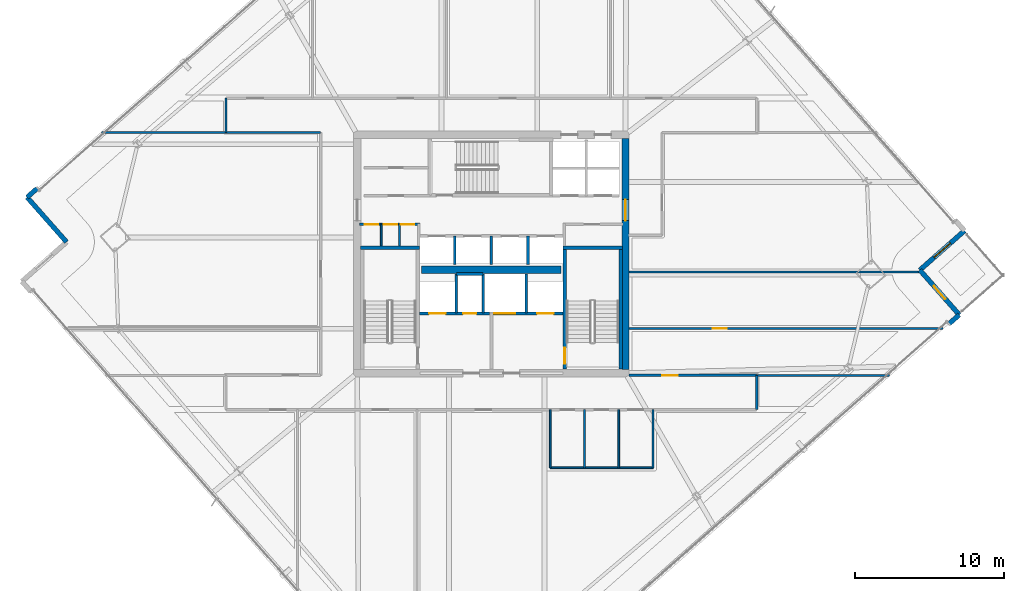
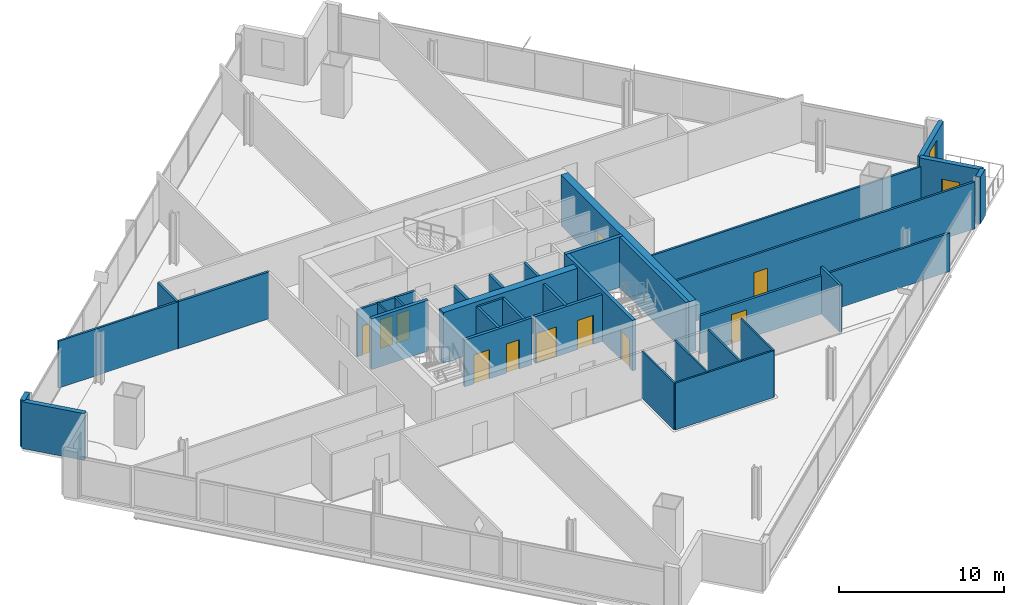
# One storey, part 27 of 34: 36 walls, 12 doors, 1 window, 13 openings.
"""IFC4 building model written with IfcOpenShell, lengths in metres."""

from ifc_helpers import new_model, si_unit, direction, frame, frame_2d, origin, place, context, subcontext, project, spatial, rectangle, extrude, material, layer, layer_set, type_object, element, fill, save


model = new_model("IFC4")

# Units and contexts
model_context = context("Model", 3, precision=1e-05, world=origin(), true_north=direction((0.0, 1.0)))
body_context = subcontext(model_context, "Body", "Model", "MODEL_VIEW")
ifc_project = project(units=[si_unit("LENGTHUNIT", "METRE"), si_unit("AREAUNIT", "SQUARE_METRE"), si_unit("VOLUMEUNIT", "CUBIC_METRE"), si_unit("PLANEANGLEUNIT", "RADIAN"), si_unit("MASSUNIT", "GRAM", prefix="KILO")], contexts=[model_context])

# Site, building, storey
site_placement = place(None, origin())
site = spatial("IfcSite", under=ifc_project, at=site_placement, CompositionType="ELEMENT")
building_placement = place(site_placement, origin())
building = spatial("IfcBuilding", under=site, at=building_placement, Name="Haldenkirk Collegiate Tower", CompositionType="ELEMENT")
storey_placement = place(building_placement, frame((0.0, 0.0, 166.949951171875)))
storey = spatial("IfcBuildingStorey", under=building, at=storey_placement, Name="L41", CompositionType="ELEMENT", Elevation=166.949951171875)

# Wall, opening, door
ifc_material_1 = material(Name="Concrete f'c 55 MPa", Category="concrete")
ifc_layer_1 = layer(ifc_material_1, 0.5)
ifc_layer_set_1 = layer_set([ifc_layer_1], Name="Concrete f'c 55 MPa")
wall_type_1 = type_object("IfcWallType", Name="WL-CORE-500", PredefinedType="SHEAR", material=ifc_layer_set_1)
wall_1_placement = place(storey_placement, frame((45.0, 18.25, 0.0), z_axis=(0.0, 0.0, 1.0), x_axis=(0.0, 1.0, 0.0)))
wall_1 = element("IfcWall", 1, at=wall_1_placement, inside=storey, type_object=wall_type_1, Name="L41 central core shear wall E", PredefinedType="SHEAR", context=body_context, shape_type="SweptSolid", body=[
    extrude(rectangle(XDim=15.5, YDim=0.5, at=frame_2d((7.75, 0.0))), origin(), (0.0, 0.0, 1.0), 3.75),
])
opening_1_placement = place(wall_1_placement, frame((9.989990234375, 0.0, 0.0)))
opening_1 = element("IfcOpeningElement", 2, at=opening_1_placement, cuts=wall_1, Name="Opening D-03", PredefinedType="OPENING", context=body_context, shape_type="SweptSolid", body=[
    extrude(rectangle(XDim=1.39990234375, YDim=2.199951171875, at=frame_2d((0.699951171875, 1.10009765625))), frame((0.0, 0.260009765625, 0.0), z_axis=(0.0, -1.0, 0.0), x_axis=(1.0, 0.0, 0.0)), (0.0, 0.0, 1.0), 0.52001953125),
])
ifc_material_2 = material(Name="Galvanized fire-rated hollow steel door", Category="steel")
ifc_layer_2 = layer(ifc_material_2, 0.06005859375)
ifc_layer_set_2 = layer_set([ifc_layer_2], Name="Galvanized fire-rated hollow steel door")
door_type_1 = type_object("IfcDoorType", Name="DR-LOBBY-FD90-1400", OperationType="NOTDEFINED", PredefinedType="DOOR", material=ifc_layer_set_2)
door_1_placement = place(opening_1_placement, origin())
door_1 = element("IfcDoor", 3, at=door_1_placement, inside=storey, type_object=door_type_1, Name="L41 east lift lobby portal", OperationType="DOUBLE_DOOR_SINGLE_SWING", OverallHeight=2.199951171875, OverallWidth=1.39990234375, PredefinedType="DOOR", context=body_context, shape_type="SweptSolid", body=[
    extrude(rectangle(XDim=1.39990234375, YDim=2.199951171875, at=frame_2d((0.699951171875, 1.10009765625))), frame((0.0, 0.02490234375, 0.0), z_axis=(0.0, -1.0, 0.0), x_axis=(1.0, 0.0, 0.0)), (0.0, 0.0, 1.0), 0.050048828125),
])
fill(opening_1, door_1)

# Walls
wall_2_placement = place(storey_placement, frame((31.31005859375, 24.949951171875, 0.0), z_axis=(0.0, 0.0, 1.0), x_axis=(1.0, 0.0, 0.0)))
element("IfcWall", 4, at=wall_2_placement, inside=storey, type_object=wall_type_1, Name="L41 central core spine shear wall", PredefinedType="SHEAR", context=body_context, shape_type="SweptSolid", body=[
    extrude(rectangle(XDim=9.3798828125, YDim=0.5, at=frame_2d((4.68994140625, 0.0))), origin(), (0.0, 0.0, 1.0), 3.75),
])
ifc_material_3 = material(Name="Precast concrete f'c 40 MPa", Category="concrete")
ifc_layer_3 = layer(ifc_material_3, 0.320068359375)
ifc_layer_set_3 = layer_set([ifc_layer_3], Name="Precast concrete f'c 40 MPa")
wall_type_2 = type_object("IfcWallType", Name="WL-EXT-TWR-320", PredefinedType="STANDARD", material=ifc_layer_set_3)
wall_3_placement = place(storey_placement, frame((67.3955078125, 21.9169921875, 0.0), z_axis=(0.0, 0.0, 1.0), x_axis=(-0.750067388761, -0.661361408246, 0.0)))
element("IfcWall", 5, at=wall_3_placement, inside=storey, type_object=wall_type_2, Name="L41 precast corner pier SL", PredefinedType="STANDARD", context=body_context, shape_type="SweptSolid", body=[
    extrude(rectangle(XDim=0.89990234375, YDim=0.320068359375, at=frame_2d((0.449951171875, 0.0))), origin(), (0.0, 0.0, 1.0), 3.4599609375),
])

# Wall, opening, door
wall_4_placement = place(storey_placement, frame((64.750244140625, 24.91748046875, 0.0), z_axis=(0.0, 0.0, 1.0), x_axis=(0.661308688671, -0.750113870214, 0.0)))
wall_4 = element("IfcWall", 6, at=wall_4_placement, inside=storey, type_object=wall_type_2, Name="L41 bronze precast notch wall 02", PredefinedType="STANDARD", context=body_context, shape_type="SweptSolid", body=[
    extrude(rectangle(XDim=4.0, YDim=0.320068359375, at=frame_2d((2.0, 0.0))), origin(), (0.0, 0.0, 1.0), 3.4599609375),
])
opening_2_placement = place(wall_4_placement, frame((1.425048828125, 0.0, 0.0)))
opening_2 = element("IfcOpeningElement", 7, at=opening_2_placement, cuts=wall_4, Name="Opening D-ST11", PredefinedType="OPENING", context=body_context, shape_type="SweptSolid", body=[
    extrude(rectangle(XDim=1.14990234375, YDim=2.199951171875, at=frame_2d((0.574951171875, 1.10009765625))), frame((0.0, 0.169921875, 0.0), z_axis=(0.0, -1.0, 0.0), x_axis=(1.0, 0.0, 0.0)), (0.0, 0.0, 1.0), 0.340087890625),
])
ifc_material_4 = material(Name="Anodised architectural bronze aluminium", Category="aluminium")
ifc_layer_4 = layer(ifc_material_4, 0.080078125)
ifc_layer_set_4 = layer_set([ifc_layer_4], Name="Anodised architectural bronze aluminium")
door_type_2 = type_object("IfcDoorType", Name="DR-EXT-STER-1150", OperationType="NOTDEFINED", PredefinedType="DOOR", material=ifc_layer_set_4)
door_2_placement = place(opening_2_placement, origin())
door_2 = element("IfcDoor", 8, at=door_2_placement, inside=storey, type_object=door_type_2, Name="L41 spiralling terrace door", OperationType="SINGLE_SWING_RIGHT", OverallHeight=2.199951171875, OverallWidth=1.14990234375, PredefinedType="DOOR", context=body_context, shape_type="SweptSolid", body=[
    extrude(rectangle(XDim=1.14990234375, YDim=2.199951171875, at=frame_2d((0.574951171875, 1.10009765625))), frame((0.0, 0.02490234375, 0.0), z_axis=(0.0, -1.0, 0.0), x_axis=(1.0, 0.0, 0.0)), (0.0, 0.0, 1.0), 0.050048828125),
])
fill(opening_2, door_2)

# Wall, opening, window
wall_5_placement = place(storey_placement, frame((67.750732421875, 27.5625, 0.0), z_axis=(0.0, 0.0, 1.0), x_axis=(-0.750144147225, -0.661274344266, 0.0)))
wall_5 = element("IfcWall", 9, at=wall_5_placement, inside=storey, type_object=wall_type_2, Name="L41 bronze precast notch wall 03", PredefinedType="STANDARD", context=body_context, shape_type="SweptSolid", body=[
    extrude(rectangle(XDim=4.0, YDim=0.320068359375, at=frame_2d((2.0, 0.0))), origin(), (0.0, 0.0, 1.0), 3.4599609375),
])
opening_3_placement = place(wall_5_placement, frame((1.27490234375, 0.0, 0.85009765625)))
opening_3 = element("IfcOpeningElement", 10, at=opening_3_placement, cuts=wall_5, Name="Opening W-05", PredefinedType="OPENING", context=body_context, shape_type="SweptSolid", body=[
    extrude(rectangle(XDim=1.449951171875, YDim=2.050048828125, at=frame_2d((0.72509765625, 1.02490234375))), frame((0.0, 0.169921875, 0.0), z_axis=(0.0, -1.0, 0.0), x_axis=(1.0, 0.0, 0.0)), (0.0, 0.0, 1.0), 0.340087890625),
])
ifc_material_5 = material(Name="Low-E argon triple insulating glass", Category="glass")
ifc_layer_5 = layer(ifc_material_5, 0.090087890625)
ifc_layer_set_5 = layer_set([ifc_layer_5], Name="Low-E argon triple insulating glass")
window_type = type_object("IfcWindowType", Name="WN-Z3-1450X2050", PartitioningType="SINGLE_PANEL", PredefinedType="WINDOW", material=ifc_layer_set_5)
window_placement = place(opening_3_placement, origin())
window = element("IfcWindow", 11, at=window_placement, inside=storey, type_object=window_type, Name="L41 precast-frame academic window 2", OverallHeight=2.050048828125, OverallWidth=1.449951171875, PartitioningType="SINGLE_PANEL", PredefinedType="WINDOW", context=body_context, shape_type="SweptSolid", body=[
    extrude(rectangle(XDim=1.449951171875, YDim=2.050048828125, at=frame_2d((0.72509765625, 1.02490234375))), frame((0.0, 0.030029296875, 0.0), z_axis=(0.0, -1.0, 0.0), x_axis=(1.0, 0.0, 0.0)), (0.0, 0.0, 1.0), 0.06005859375),
])
fill(opening_3, window)

# Walls
wall_6_placement = place(storey_placement, frame((4.852294921875, 29.8017578125, 0.0), z_axis=(0.0, 0.0, 1.0), x_axis=(0.750186006681, 0.661226856215, 0.0)))
element("IfcWall", 12, at=wall_6_placement, inside=storey, type_object=wall_type_2, Name="L41 precast corner pier NL", PredefinedType="STANDARD", context=body_context, shape_type="SweptSolid", body=[
    extrude(rectangle(XDim=0.900146484375, YDim=0.320068359375, at=frame_2d((0.4501953125, 0.0))), origin(), (0.0, 0.0, 1.0), 3.4599609375),
])
wall_7_placement = place(storey_placement, frame((7.497802734375, 26.80126953125, 0.0), z_axis=(0.0, 0.0, 1.0), x_axis=(-0.661343028918, 0.750083594076, 0.0)))
element("IfcWall", 13, at=wall_7_placement, inside=storey, type_object=wall_type_2, Name="L41 bronze precast notch wall 08", PredefinedType="STANDARD", context=body_context, shape_type="SweptSolid", body=[
    extrude(rectangle(XDim=4.000244140625, YDim=0.320068359375, at=frame_2d((2.0, 0.0))), origin(), (0.0, 0.0, 1.0), 3.4599609375),
])

# Wall, openings, doors
ifc_material_6 = material(Name="Acoustic fire-rated gypsum partition", Category="concrete")
ifc_layer_6 = layer(ifc_material_6, 0.159912109375)
ifc_layer_set_6 = layer_set([ifc_layer_6], Name="Acoustic fire-rated gypsum partition")
wall_type_3 = type_object("IfcWallType", Name="WL-INT-CORR-160", PredefinedType="PARTITIONING", material=ifc_layer_set_6)
wall_8_placement = place(storey_placement, frame((27.14990234375, 27.97998046875, 0.0), z_axis=(0.0, 0.0, 1.0), x_axis=(1.0, 0.0, 0.0)))
wall_8 = element("IfcWall", 14, at=wall_8_placement, inside=storey, type_object=wall_type_3, Name="L41 interior partition IW-L41-VCSW-N", PredefinedType="PARTITIONING", context=body_context, shape_type="SweptSolid", body=[
    extrude(rectangle(XDim=4.050048828125, YDim=0.159912109375, at=frame_2d((2.02490234375, 0.0))), origin(), (0.0, 0.0, 1.0), 3.4599609375),
])
opening_4_placement = place(wall_8_placement, frame((0.360107421875, 0.0, 0.0)))
opening_4 = element("IfcOpeningElement", 15, at=opening_4_placement, cuts=wall_8, Name="Opening D-11", PredefinedType="OPENING", context=body_context, shape_type="SweptSolid", body=[
    extrude(rectangle(XDim=0.89990234375, YDim=2.14990234375, at=frame_2d((0.449951171875, 1.074951171875))), frame((0.0, 0.08984375, 0.0), z_axis=(0.0, -1.0, 0.0), x_axis=(1.0, 0.0, 0.0)), (0.0, 0.0, 1.0), 0.179931640625),
])
opening_5_placement = place(wall_8_placement, frame((1.6298828125, 0.0, 0.0)))
opening_5 = element("IfcOpeningElement", 16, at=opening_5_placement, cuts=wall_8, Name="Opening D-11", PredefinedType="OPENING", context=body_context, shape_type="SweptSolid", body=[
    extrude(rectangle(XDim=0.89990234375, YDim=2.14990234375, at=frame_2d((0.449951171875, 1.074951171875))), frame((0.0, 0.08984375, 0.0), z_axis=(0.0, -1.0, 0.0), x_axis=(1.0, 0.0, 0.0)), (0.0, 0.0, 1.0), 0.179931640625),
])
opening_6_placement = place(wall_8_placement, frame((2.78759765625, 0.0, 0.0)))
opening_6 = element("IfcOpeningElement", 17, at=opening_6_placement, cuts=wall_8, Name="Opening D-11", PredefinedType="OPENING", context=body_context, shape_type="SweptSolid", body=[
    extrude(rectangle(XDim=0.89990234375, YDim=2.14990234375, at=frame_2d((0.449951171875, 1.074951171875))), frame((0.0, 0.08984375, 0.0), z_axis=(0.0, -1.0, 0.0), x_axis=(1.0, 0.0, 0.0)), (0.0, 0.0, 1.0), 0.179931640625),
])
ifc_material_7 = material(Name="Solid-core architectural oak fire door", Category="wood")
ifc_layer_7 = layer(ifc_material_7, 0.06005859375)
ifc_layer_set_7 = layer_set([ifc_layer_7], Name="Solid-core architectural oak fire door")
door_type_3 = type_object("IfcDoorType", Name="DR-INT-FD60-900", OperationType="NOTDEFINED", PredefinedType="DOOR", material=ifc_layer_set_7)
door_3_placement = place(opening_4_placement, origin())
door_3 = element("IfcDoor", 18, at=door_3_placement, inside=storey, type_object=door_type_3, Name="L41 core study booth door", OperationType="SINGLE_SWING_LEFT", OverallHeight=2.14990234375, OverallWidth=0.89990234375, PredefinedType="DOOR", context=body_context, shape_type="SweptSolid", body=[
    extrude(rectangle(XDim=0.89990234375, YDim=2.14990234375, at=frame_2d((0.449951171875, 1.074951171875))), frame((0.0, 0.02490234375, 0.0), z_axis=(0.0, -1.0, 0.0), x_axis=(1.0, 0.0, 0.0)), (0.0, 0.0, 1.0), 0.050048828125),
])
fill(opening_4, door_3)
door_4_placement = place(opening_5_placement, origin())
door_4 = element("IfcDoor", 19, at=door_4_placement, inside=storey, type_object=door_type_3, Name="L41 core cleaners door", OperationType="SINGLE_SWING_RIGHT", OverallHeight=2.14990234375, OverallWidth=0.89990234375, PredefinedType="DOOR", context=body_context, shape_type="SweptSolid", body=[
    extrude(rectangle(XDim=0.89990234375, YDim=2.14990234375, at=frame_2d((0.449951171875, 1.074951171875))), frame((0.0, 0.02490234375, 0.0), z_axis=(0.0, -1.0, 0.0), x_axis=(1.0, 0.0, 0.0)), (0.0, 0.0, 1.0), 0.050048828125),
])
fill(opening_5, door_4)
door_5_placement = place(opening_6_placement, origin())
door_5 = element("IfcDoor", 20, at=door_5_placement, inside=storey, type_object=door_type_3, Name="L41 core stationery door", OperationType="SINGLE_SWING_LEFT", OverallHeight=2.14990234375, OverallWidth=0.89990234375, PredefinedType="DOOR", context=body_context, shape_type="SweptSolid", body=[
    extrude(rectangle(XDim=0.89990234375, YDim=2.14990234375, at=frame_2d((0.449951171875, 1.074951171875))), frame((0.0, 0.02490234375, 0.0), z_axis=(0.0, -1.0, 0.0), x_axis=(1.0, 0.0, 0.0)), (0.0, 0.0, 1.0), 0.050048828125),
])
fill(opening_6, door_5)

# Wall, opening, door
wall_9_placement = place(storey_placement, frame((45.25, 17.85009765625, 0.0), z_axis=(0.0, 0.0, 1.0), x_axis=(1.0, 0.0, 0.0)))
wall_9 = element("IfcWall", 21, at=wall_9_placement, inside=storey, type_object=wall_type_3, Name="L41 interior partition IW-L41-CSE", PredefinedType="PARTITIONING", context=body_context, shape_type="SweptSolid", body=[
    extrude(rectangle(XDim=8.550048828125, YDim=0.159912109375, at=frame_2d((4.27490234375, 0.0))), origin(), (0.0, 0.0, 1.0), 2.839111328125),
])
opening_7_placement = place(wall_9_placement, frame((2.2109375, 0.0, 0.0)))
opening_7 = element("IfcOpeningElement", 22, at=opening_7_placement, cuts=wall_9, Name="Opening D-09", PredefinedType="OPENING", context=body_context, shape_type="SweptSolid", body=[
    extrude(rectangle(XDim=1.050048828125, YDim=2.14990234375, at=frame_2d((0.52490234375, 1.074951171875))), frame((0.0, 0.08984375, 0.0), z_axis=(0.0, -1.0, 0.0), x_axis=(1.0, 0.0, 0.0)), (0.0, 0.0, 1.0), 0.179931640625),
])
ifc_layer_8 = layer(ifc_material_7, 0.06005859375)
ifc_layer_set_8 = layer_set([ifc_layer_8], Name="Solid-core architectural oak fire door")
door_type_4 = type_object("IfcDoorType", Name="DR-INT-FD60-1050", OperationType="NOTDEFINED", PredefinedType="DOOR", material=ifc_layer_set_8)
door_6_placement = place(opening_7_placement, origin())
door_6 = element("IfcDoor", 23, at=door_6_placement, inside=storey, type_object=door_type_4, Name="L41 Case Method Seminar Room 10 door", OperationType="SINGLE_SWING_LEFT", OverallHeight=2.14990234375, OverallWidth=1.050048828125, PredefinedType="DOOR", context=body_context, shape_type="SweptSolid", body=[
    extrude(rectangle(XDim=1.050048828125, YDim=2.14990234375, at=frame_2d((0.52490234375, 1.074951171875))), frame((0.0, 0.02490234375, 0.0), z_axis=(0.0, -1.0, 0.0), x_axis=(1.0, 0.0, 0.0)), (0.0, 0.0, 1.0), 0.050048828125),
])
fill(opening_7, door_6)

# Walls
wall_10_placement = place(storey_placement, frame((18.199951171875, 34.14990234375, 0.0), z_axis=(0.0, 0.0, 1.0), x_axis=(1.0, 0.0, 0.0)))
element("IfcWall", 24, at=wall_10_placement, inside=storey, type_object=wall_type_3, Name="L41 interior partition IW-L41-CNW", PredefinedType="PARTITIONING", context=body_context, shape_type="SweptSolid", body=[
    extrude(rectangle(XDim=6.35009765625, YDim=0.159912109375, at=frame_2d((3.175048828125, 0.0))), origin(), (0.0, 0.0, 1.0), 3.4599609375),
])
for number, where, z_axis, x_axis, name in (
    (25, (53.800048828125, 15.550048828125, 0.0), (0.0, 0.0, 1.0), (0.0, 1.0, 0.0), "L41 interior partition IW-L41-CSR"),
    (26, (18.199951171875, 34.14990234375, 0.0), (0.0, 0.0, 1.0), (0.0, 1.0, 0.0), "L41 interior partition IW-L41-CNL"),
):
    element("IfcWall", number, at=place(storey_placement, frame(where, z_axis=z_axis, x_axis=x_axis)), inside=storey, type_object=wall_type_3, Name=name, PredefinedType="PARTITIONING", context=body_context, shape_type="SweptSolid", body=[
        extrude(rectangle(XDim=2.300048828125, YDim=0.159912109375, at=frame_2d((1.14990234375, 0.0))), origin(), (0.0, 0.0, 1.0), 3.4599609375),
    ])
ifc_layer_9 = layer(ifc_material_6, 0.139892578125)
ifc_layer_set_9 = layer_set([ifc_layer_9], Name="Acoustic fire-rated gypsum partition")
wall_type_4 = type_object("IfcWallType", Name="WL-INT-DIV-140", PredefinedType="PARTITIONING", material=ifc_layer_set_9)
wall_11_placement = place(storey_placement, frame((9.844970703125, 34.14990234375, 0.0), z_axis=(0.0, 0.0, 1.0), x_axis=(1.0, 0.0, 0.0)))
element("IfcWall", 27, at=wall_11_placement, inside=storey, type_object=wall_type_4, Name="L41 interior partition IW-L41-BWN", PredefinedType="PARTITIONING", context=body_context, shape_type="SweptSolid", body=[
    extrude(rectangle(XDim=8.35498046875, YDim=0.139892578125, at=frame_2d((4.177490234375, 0.0))), origin(), (0.0, 0.0, 1.0), 3.4599609375),
])
wall_12_placement = place(storey_placement, frame((53.800048828125, 17.85009765625, 0.0), z_axis=(0.0, 0.0, 1.0), x_axis=(1.0, 0.0, 0.0)))
element("IfcWall", 28, at=wall_12_placement, inside=storey, type_object=wall_type_4, Name="L41 interior partition IW-L41-BES", PredefinedType="PARTITIONING", context=body_context, shape_type="SweptSolid", body=[
    extrude(rectangle(XDim=8.921875, YDim=0.139892578125, at=frame_2d((4.4609375, 0.0))), origin(), (0.0, 0.0, 1.0), 2.839111328125),
])

# Wall, opening, door
wall_13_placement = place(storey_placement, frame((45.25, 21.0, 0.0), z_axis=(0.0, 0.0, 1.0), x_axis=(1.0, 0.0, 0.0)))
wall_13 = element("IfcWall", 29, at=wall_13_placement, inside=storey, type_object=wall_type_4, Name="L41 interior partition IW-L41-RE1", PredefinedType="PARTITIONING", context=body_context, shape_type="SweptSolid", body=[
    extrude(rectangle(XDim=21.044921875, YDim=0.139892578125, at=frame_2d((10.5224609375, 0.0))), origin(), (0.0, 0.0, 1.0), 3.4599609375),
])
opening_8_placement = place(wall_13_placement, frame((5.60107421875, 0.0, 0.0)))
opening_8 = element("IfcOpeningElement", 30, at=opening_8_placement, cuts=wall_13, Name="Opening D-12", PredefinedType="OPENING", context=body_context, shape_type="SweptSolid", body=[
    extrude(rectangle(XDim=0.949951171875, YDim=2.14990234375, at=frame_2d((0.47509765625, 1.074951171875))), frame((0.0, 0.079833984375, 0.0), z_axis=(0.0, -1.0, 0.0), x_axis=(1.0, 0.0, 0.0)), (0.0, 0.0, 1.0), 0.159912109375),
])
ifc_layer_10 = layer(ifc_material_7, 0.06005859375)
ifc_layer_set_10 = layer_set([ifc_layer_10], Name="Solid-core architectural oak fire door")
door_type_5 = type_object("IfcDoorType", Name="DR-INT-STD-950", OperationType="NOTDEFINED", PredefinedType="DOOR", material=ifc_layer_set_10)
door_7_placement = place(opening_8_placement, origin())
door_7 = element("IfcDoor", 31, at=door_7_placement, inside=storey, type_object=door_type_5, Name="L41 Breakout Conference Room 11 door", OperationType="SINGLE_SWING_RIGHT", OverallHeight=2.14990234375, OverallWidth=0.949951171875, PredefinedType="DOOR", context=body_context, shape_type="SweptSolid", body=[
    extrude(rectangle(XDim=0.949951171875, YDim=2.14990234375, at=frame_2d((0.47509765625, 1.074951171875))), frame((0.0, 0.02490234375, 0.0), z_axis=(0.0, -1.0, 0.0), x_axis=(1.0, 0.0, 0.0)), (0.0, 0.0, 1.0), 0.050048828125),
])
fill(opening_8, door_7)

# Walls
wall_14_placement = place(storey_placement, frame((45.25, 24.800048828125, 0.0), z_axis=(0.0, 0.0, 1.0), x_axis=(1.0, 0.0, 0.0)))
element("IfcWall", 32, at=wall_14_placement, inside=storey, type_object=wall_type_4, Name="L41 interior partition IW-L41-RE2", PredefinedType="PARTITIONING", context=body_context, shape_type="SweptSolid", body=[
    extrude(rectangle(XDim=19.550537109375, YDim=0.139892578125, at=frame_2d((9.775390625, 0.0))), origin(), (0.0, 0.0, 1.0), 2.839111328125),
])
ifc_material_8 = material(Name="Fire-rated gypsum shaftboard assembly", Category="concrete")
ifc_layer_11 = layer(ifc_material_8, 0.179931640625)
ifc_layer_set_11 = layer_set([ifc_layer_11], Name="Fire-rated gypsum shaftboard assembly")
wall_type_5 = type_object("IfcWallType", Name="WL-INT-SHAFT-180", PredefinedType="PARTITIONING", material=ifc_layer_set_11)
for number, where, z_axis, x_axis, name in (
    (33, (33.64990234375, 22.050048828125, 0.0), (0.0, 0.0, 1.0), (0.0, 1.0, 0.0), "L41 interior partition IW-L41-FL1E"),
    (34, (35.449951171875, 22.050048828125, 0.0), (0.0, 0.0, 1.0), (0.0, 1.0, 0.0), "L41 interior partition IW-L41-GL1W"),
):
    element("IfcWall", number, at=place(storey_placement, frame(where, z_axis=z_axis, x_axis=x_axis)), inside=storey, type_object=wall_type_5, Name=name, PredefinedType="PARTITIONING", context=body_context, shape_type="SweptSolid", body=[
        extrude(rectangle(XDim=2.599853515625, YDim=0.179931640625, at=frame_2d((1.2998046875, 0.0))), origin(), (0.0, 0.0, 1.0), 3.4599609375),
    ])
wall_15_placement = place(storey_placement, frame((33.64990234375, 24.64990234375, 0.0), z_axis=(0.0, 0.0, 1.0), x_axis=(1.0, 0.0, 0.0)))
element("IfcWall", 35, at=wall_15_placement, inside=storey, type_object=wall_type_5, Name="L41 interior partition IW-L41-RSRN", PredefinedType="PARTITIONING", context=body_context, shape_type="SweptSolid", body=[
    extrude(rectangle(XDim=1.800048828125, YDim=0.179931640625, at=frame_2d((0.89990234375, 0.0))), origin(), (0.0, 0.0, 1.0), 3.4599609375),
])
wall_16_placement = place(storey_placement, frame((38.35009765625, 22.050048828125, 0.0), z_axis=(0.0, 0.0, 1.0), x_axis=(0.0, 1.0, 0.0)))
element("IfcWall", 36, at=wall_16_placement, inside=storey, type_object=wall_type_5, Name="L41 interior partition IW-L41-GL1E", PredefinedType="PARTITIONING", context=body_context, shape_type="SweptSolid", body=[
    extrude(rectangle(XDim=2.599853515625, YDim=0.179931640625, at=frame_2d((1.2998046875, 0.0))), origin(), (0.0, 0.0, 1.0), 3.4599609375),
])
for number, where, z_axis, x_axis, name in (
    (37, (33.5400390625, 25.300048828125, 0.0), (0.0, 0.0, 1.0), (0.0, 1.0, 0.0), "L41 interior partition IW-L41-PHV1"),
    (38, (36.0, 25.300048828125, 0.0), (0.0, 0.0, 1.0), (0.0, 1.0, 0.0), "L41 interior partition IW-L41-PHV2"),
    (39, (38.4599609375, 25.300048828125, 0.0), (0.0, 0.0, 1.0), (0.0, 1.0, 0.0), "L41 interior partition IW-L41-PHV3"),
):
    element("IfcWall", number, at=place(storey_placement, frame(where, z_axis=z_axis, x_axis=x_axis)), inside=storey, type_object=wall_type_5, Name=name, PredefinedType="PARTITIONING", context=body_context, shape_type="SweptSolid", body=[
        extrude(rectangle(XDim=1.89990234375, YDim=0.179931640625, at=frame_2d((0.949951171875, 0.0))), origin(), (0.0, 0.0, 1.0), 3.4599609375),
    ])

# Wall, openings, doors
ifc_layer_12 = layer(ifc_material_8, 0.199951171875)
ifc_layer_set_12 = layer_set([ifc_layer_12], Name="Fire-rated gypsum shaftboard assembly")
wall_type_6 = type_object("IfcWallType", Name="WL-INT-SHAFT-200", PredefinedType="PARTITIONING", material=ifc_layer_set_12)
wall_17_placement = place(storey_placement, frame((31.18994140625, 22.0, 0.0), z_axis=(0.0, 0.0, 1.0), x_axis=(1.0, 0.0, 0.0)))
wall_17 = element("IfcWall", 40, at=wall_17_placement, inside=storey, type_object=wall_type_6, Name="L41 interior partition IW-L41-FFL1N", PredefinedType="PARTITIONING", context=body_context, shape_type="SweptSolid", body=[
    extrude(rectangle(XDim=4.68994140625, YDim=0.199951171875, at=frame_2d((2.344970703125, 0.0))), origin(), (0.0, 0.0, 1.0), 3.4599609375),
])
opening_9_placement = place(wall_17_placement, frame((2.909912109375, 0.0, 0.0)))
opening_9 = element("IfcOpeningElement", 41, at=opening_9_placement, cuts=wall_17, Name="Opening D-06", PredefinedType="OPENING", context=body_context, shape_type="SweptSolid", body=[
    extrude(rectangle(XDim=0.89990234375, YDim=2.14990234375, at=frame_2d((0.449951171875, 1.074951171875))), frame((0.0, 0.10986328125, 0.0), z_axis=(0.0, -1.0, 0.0), x_axis=(1.0, 0.0, 0.0)), (0.0, 0.0, 1.0), 0.219970703125),
])
opening_10_placement = place(wall_17_placement, frame((0.635009765625, 0.0, 0.0)))
opening_10 = element("IfcOpeningElement", 42, at=opening_10_placement, cuts=wall_17, Name="Opening LD-12", PredefinedType="OPENING", context=body_context, shape_type="SweptSolid", body=[
    extrude(rectangle(XDim=1.10009765625, YDim=2.14990234375, at=frame_2d((0.550048828125, 1.074951171875))), frame((0.0, 0.10986328125, 0.0), z_axis=(0.0, -1.0, 0.0), x_axis=(1.0, 0.0, 0.0)), (0.0, 0.0, 1.0), 0.219970703125),
])
ifc_layer_13 = layer(ifc_material_2, 0.06005859375)
ifc_layer_set_13 = layer_set([ifc_layer_13], Name="Galvanized fire-rated hollow steel door")
door_type_6 = type_object("IfcDoorType", Name="DR-INT-FD90-900", OperationType="NOTDEFINED", PredefinedType="DOOR", material=ifc_layer_set_13)
door_8_placement = place(opening_9_placement, origin())
door_8 = element("IfcDoor", 43, at=door_8_placement, inside=storey, type_object=door_type_6, Name="L41 electrical riser door", OperationType="SINGLE_SWING_RIGHT", OverallHeight=2.14990234375, OverallWidth=0.89990234375, PredefinedType="DOOR", context=body_context, shape_type="SweptSolid", body=[
    extrude(rectangle(XDim=0.89990234375, YDim=2.14990234375, at=frame_2d((0.449951171875, 1.074951171875))), frame((0.0, 0.02490234375, 0.0), z_axis=(0.0, -1.0, 0.0), x_axis=(1.0, 0.0, 0.0)), (0.0, 0.0, 1.0), 0.050048828125),
])
fill(opening_9, door_8)
ifc_material_9 = material(Name="Brushed architectural stainless steel", Category="steel")
ifc_layer_14 = layer(ifc_material_9, 0.06005859375)
ifc_layer_set_14 = layer_set([ifc_layer_14], Name="Brushed architectural stainless steel")
door_type_7 = type_object("IfcDoorType", Name="LD-FIRE-1100", OperationType="NOTDEFINED", PredefinedType="DOOR", material=ifc_layer_set_14)
door_9_placement = place(opening_10_placement, origin())
door_9 = element("IfcDoor", 44, at=door_9_placement, inside=storey, type_object=door_type_7, Name="L41 Elevator FL1 sliding landing door", OperationType="SLIDING_TO_LEFT", OverallHeight=2.14990234375, OverallWidth=1.10009765625, PredefinedType="DOOR", context=body_context, shape_type="SweptSolid", body=[
    extrude(rectangle(XDim=1.10009765625, YDim=2.14990234375, at=frame_2d((0.550048828125, 1.074951171875))), frame((0.0, 0.02490234375, 0.0), z_axis=(0.0, -1.0, 0.0), x_axis=(1.0, 0.0, 0.0)), (0.0, 0.0, 1.0), 0.050048828125),
])
fill(opening_10, door_9)

wall_18_placement = place(storey_placement, frame((36.1201171875, 22.0, 0.0), z_axis=(0.0, 0.0, 1.0), x_axis=(1.0, 0.0, 0.0)))
wall_18 = element("IfcWall", 45, at=wall_18_placement, inside=storey, type_object=wall_type_6, Name="L41 interior partition IW-L41-FFL2N", PredefinedType="PARTITIONING", context=body_context, shape_type="SweptSolid", body=[
    extrude(rectangle(XDim=4.68994140625, YDim=0.199951171875, at=frame_2d((2.344970703125, 0.0))), origin(), (0.0, 0.0, 1.0), 3.4599609375),
])
opening_11_placement = place(wall_18_placement, frame((2.955078125, 0.0, 0.0)))
opening_11 = element("IfcOpeningElement", 46, at=opening_11_placement, cuts=wall_18, Name="Opening LD-12", PredefinedType="OPENING", context=body_context, shape_type="SweptSolid", body=[
    extrude(rectangle(XDim=1.10009765625, YDim=2.14990234375, at=frame_2d((0.550048828125, 1.074951171875))), frame((0.0, 0.10986328125, 0.0), z_axis=(0.0, -1.0, 0.0), x_axis=(1.0, 0.0, 0.0)), (0.0, 0.0, 1.0), 0.219970703125),
])
opening_12_placement = place(wall_18_placement, frame((0.080078125, 0.0, 0.0)))
opening_12 = element("IfcOpeningElement", 47, at=opening_12_placement, cuts=wall_18, Name="Opening LD-13", PredefinedType="OPENING", context=body_context, shape_type="SweptSolid", body=[
    extrude(rectangle(XDim=1.39990234375, YDim=2.199951171875, at=frame_2d((0.699951171875, 1.10009765625))), frame((0.0, 0.10986328125, 0.0), z_axis=(0.0, -1.0, 0.0), x_axis=(1.0, 0.0, 0.0)), (0.0, 0.0, 1.0), 0.219970703125),
])
door_10_placement = place(opening_11_placement, origin())
door_10 = element("IfcDoor", 48, at=door_10_placement, inside=storey, type_object=door_type_7, Name="L41 Elevator FL2 sliding landing door", OperationType="SLIDING_TO_LEFT", OverallHeight=2.14990234375, OverallWidth=1.10009765625, PredefinedType="DOOR", context=body_context, shape_type="SweptSolid", body=[
    extrude(rectangle(XDim=1.10009765625, YDim=2.14990234375, at=frame_2d((0.550048828125, 1.074951171875))), frame((0.0, 0.02490234375, 0.0), z_axis=(0.0, -1.0, 0.0), x_axis=(1.0, 0.0, 0.0)), (0.0, 0.0, 1.0), 0.050048828125),
])
fill(opening_11, door_10)
ifc_layer_15 = layer(ifc_material_9, 0.06005859375)
ifc_layer_set_15 = layer_set([ifc_layer_15], Name="Brushed architectural stainless steel")
door_type_8 = type_object("IfcDoorType", Name="LD-GOODS-1400", OperationType="NOTDEFINED", PredefinedType="DOOR", material=ifc_layer_set_15)
door_11_placement = place(opening_12_placement, origin())
door_11 = element("IfcDoor", 49, at=door_11_placement, inside=storey, type_object=door_type_8, Name="L41 Elevator GL1 sliding landing door", OperationType="SLIDING_TO_LEFT", OverallHeight=2.199951171875, OverallWidth=1.39990234375, PredefinedType="DOOR", context=body_context, shape_type="SweptSolid", body=[
    extrude(rectangle(XDim=1.39990234375, YDim=2.199951171875, at=frame_2d((0.699951171875, 1.10009765625))), frame((0.0, 0.02490234375, 0.0), z_axis=(0.0, -1.0, 0.0), x_axis=(1.0, 0.0, 0.0)), (0.0, 0.0, 1.0), 0.050048828125),
])
fill(opening_12, door_11)

# Walls
ifc_layer_16 = layer(ifc_material_6, 0.1201171875)
ifc_layer_set_16 = layer_set([ifc_layer_16], Name="Acoustic fire-rated gypsum partition")
wall_type_7 = type_object("IfcWallType", Name="WL-INT-WET-120", PredefinedType="PARTITIONING", material=ifc_layer_set_16)
for number, where, z_axis, x_axis, name in (
    (50, (28.6201171875, 26.5400390625, 0.0), (0.0, 0.0, 1.0), (0.0, 1.0, 0.0), "L41 interior partition IW-L41-VCSW-M1"),
    (51, (29.840087890625, 26.5400390625, 0.0), (0.0, 0.0, 1.0), (0.0, 1.0, 0.0), "L41 interior partition IW-L41-VCSW-M2"),
):
    element("IfcWall", number, at=place(storey_placement, frame(where, z_axis=z_axis, x_axis=x_axis)), inside=storey, type_object=wall_type_7, Name=name, PredefinedType="PARTITIONING", context=body_context, shape_type="SweptSolid", body=[
        extrude(rectangle(XDim=1.43994140625, YDim=0.1201171875, at=frame_2d((0.719970703125, 0.0))), origin(), (0.0, 0.0, 1.0), 3.4599609375),
    ])
for number, where, z_axis, x_axis, name in (
    (52, (39.949951171875, 11.64990234375, 0.0), (0.0, 0.0, 1.0), (0.0, 1.0, 0.0), "L41 interior partition IW-L41-WCW"),
    (53, (42.25, 11.64990234375, 0.0), (0.0, 0.0, 1.0), (0.0, 1.0, 0.0), "L41 interior partition IW-L41-WC1"),
    (54, (44.550048828125, 11.64990234375, 0.0), (0.0, 0.0, 1.0), (0.0, 1.0, 0.0), "L41 interior partition IW-L41-WC2"),
    (55, (46.85009765625, 11.64990234375, 0.0), (0.0, 0.0, 1.0), (0.0, 1.0, 0.0), "L41 interior partition IW-L41-WCE"),
):
    element("IfcWall", number, at=place(storey_placement, frame(where, z_axis=z_axis, x_axis=x_axis)), inside=storey, type_object=wall_type_7, Name=name, PredefinedType="PARTITIONING", context=body_context, shape_type="SweptSolid", body=[
        extrude(rectangle(XDim=3.900146484375, YDim=0.1201171875, at=frame_2d((1.9501953125, 0.0))), origin(), (0.0, 0.0, 1.0), 3.4599609375),
    ])
wall_19_placement = place(storey_placement, frame((39.949951171875, 11.64990234375, 0.0), z_axis=(0.0, 0.0, 1.0), x_axis=(1.0, 0.0, 0.0)))
element("IfcWall", 56, at=wall_19_placement, inside=storey, type_object=wall_type_7, Name="L41 interior partition IW-L41-WCB", PredefinedType="PARTITIONING", context=body_context, shape_type="SweptSolid", body=[
    extrude(rectangle(XDim=6.900146484375, YDim=0.1201171875, at=frame_2d((3.4501953125, 0.0))), origin(), (0.0, 0.0, 1.0), 3.4599609375),
])
ifc_layer_17 = layer(ifc_material_1, 0.239990234375)
ifc_layer_set_17 = layer_set([ifc_layer_17], Name="Concrete f'c 55 MPa")
wall_type_8 = type_object("IfcWallType", Name="WL-SHAFT-240", PredefinedType="SHEAR", material=ifc_layer_set_17)
wall_20_placement = place(storey_placement, frame((27.2099609375, 26.419921875, 0.0), z_axis=(0.0, 0.0, 1.0), x_axis=(1.0, 0.0, 0.0)))
element("IfcWall", 57, at=wall_20_placement, inside=storey, type_object=wall_type_8, Name="L41 stair shaft shear wall SW-L41-ST1N", PredefinedType="SHEAR", context=body_context, shape_type="SweptSolid", body=[
    extrude(rectangle(XDim=3.97998046875, YDim=0.239990234375, at=frame_2d((1.989990234375, 0.0))), origin(), (0.0, 0.0, 1.0), 3.75),
])

# Wall, opening, door
wall_21_placement = place(storey_placement, frame((40.929931640625, 18.280029296875, 0.0), z_axis=(0.0, 0.0, 1.0), x_axis=(0.0, 1.0, 0.0)))
wall_21 = element("IfcWall", 58, at=wall_21_placement, inside=storey, type_object=wall_type_8, Name="L41 stair shaft shear wall SW-L41-ST2W", PredefinedType="SHEAR", context=body_context, shape_type="SweptSolid", body=[
    extrude(rectangle(XDim=8.260009765625, YDim=0.239990234375, at=frame_2d((4.1298828125, 0.0))), origin(), (0.0, 0.0, 1.0), 3.75),
])
opening_13_placement = place(wall_21_placement, frame((0.364990234375, 0.0, 0.0)))
opening_13 = element("IfcOpeningElement", 59, at=opening_13_placement, cuts=wall_21, Name="Opening D-01", PredefinedType="OPENING", context=body_context, shape_type="SweptSolid", body=[
    extrude(rectangle(XDim=1.050048828125, YDim=2.14990234375, at=frame_2d((0.52490234375, 1.074951171875))), frame((0.0, 0.1298828125, 0.0), z_axis=(0.0, -1.0, 0.0), x_axis=(1.0, 0.0, 0.0)), (0.0, 0.0, 1.0), 0.260009765625),
])
ifc_layer_18 = layer(ifc_material_2, 0.06005859375)
ifc_layer_set_18 = layer_set([ifc_layer_18], Name="Galvanized fire-rated hollow steel door")
door_type_9 = type_object("IfcDoorType", Name="DR-STAIR-FD90-1050", OperationType="NOTDEFINED", PredefinedType="DOOR", material=ifc_layer_set_18)
door_12_placement = place(opening_13_placement, origin())
door_12 = element("IfcDoor", 60, at=door_12_placement, inside=storey, type_object=door_type_9, Name="L41 Stair 2 door", OperationType="SINGLE_SWING_RIGHT", OverallHeight=2.14990234375, OverallWidth=1.050048828125, PredefinedType="DOOR", context=body_context, shape_type="SweptSolid", body=[
    extrude(rectangle(XDim=1.050048828125, YDim=2.14990234375, at=frame_2d((0.52490234375, 1.074951171875))), frame((0.0, 0.02490234375, 0.0), z_axis=(0.0, -1.0, 0.0), x_axis=(1.0, 0.0, 0.0)), (0.0, 0.0, 1.0), 0.050048828125),
])
fill(opening_13, door_12)

# Walls
wall_22_placement = place(storey_placement, frame((40.81005859375, 26.419921875, 0.0), z_axis=(0.0, 0.0, 1.0), x_axis=(1.0, 0.0, 0.0)))
element("IfcWall", 61, at=wall_22_placement, inside=storey, type_object=wall_type_8, Name="L41 stair shaft shear wall SW-L41-ST2N", PredefinedType="SHEAR", context=body_context, shape_type="SweptSolid", body=[
    extrude(rectangle(XDim=3.97998046875, YDim=0.239990234375, at=frame_2d((1.989990234375, 0.0))), origin(), (0.0, 0.0, 1.0), 3.75),
])
wall_23_placement = place(storey_placement, frame((44.669921875, 18.280029296875, 0.0), z_axis=(0.0, 0.0, 1.0), x_axis=(0.0, 1.0, 0.0)))
element("IfcWall", 62, at=wall_23_placement, inside=storey, type_object=wall_type_8, Name="L41 stair shaft shear wall SW-L41-ST2E", PredefinedType="SHEAR", context=body_context, shape_type="SweptSolid", body=[
    extrude(rectangle(XDim=8.260009765625, YDim=0.239990234375, at=frame_2d((4.1298828125, 0.0))), origin(), (0.0, 0.0, 1.0), 3.75),
])

save(model, "model.ifc")
